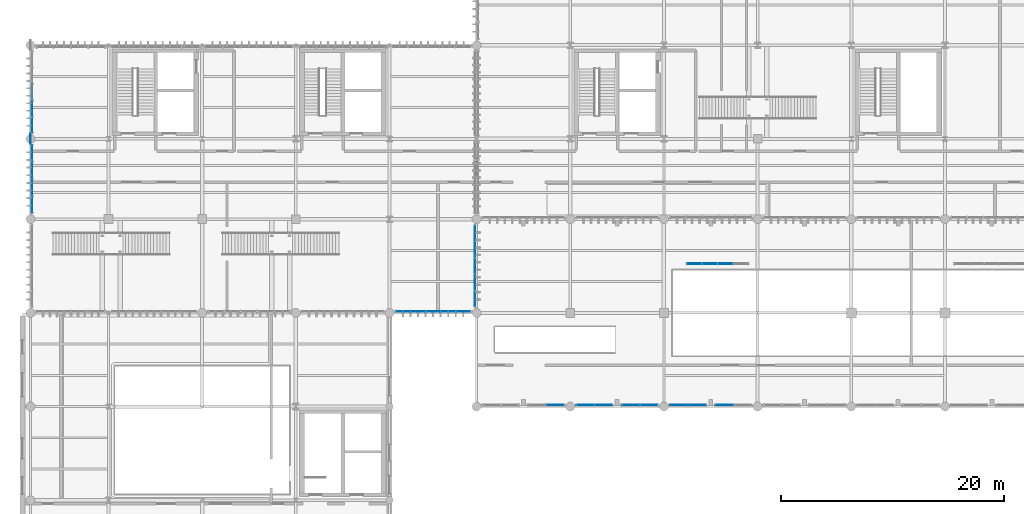
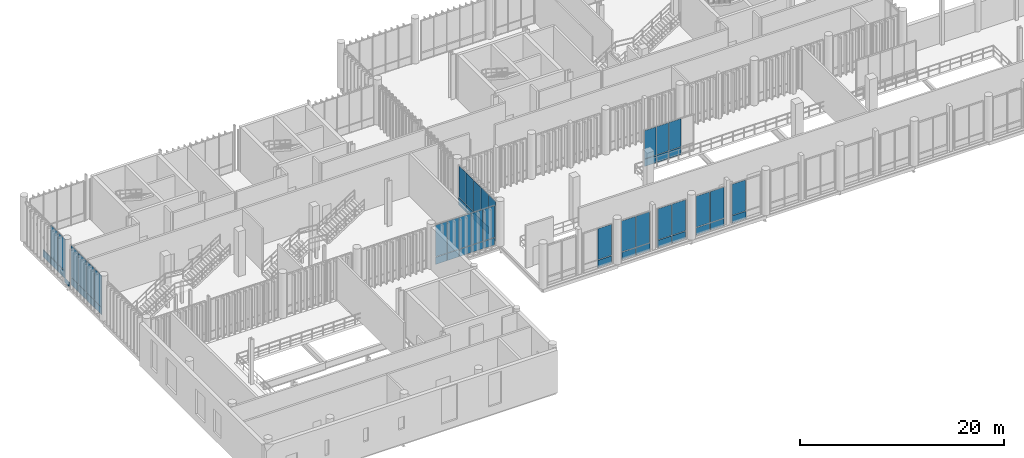
# One storey, part 94 of 128: 56 plates, 10 elements without a shape of their own.
"""IFC4 building model written with IfcOpenShell, lengths in metres."""

import ifcopenshell
import ifcopenshell.guid

model = None  # the IFC model being written
_history = None  # IfcOwnerHistory: only IFC2X3 demands one
_inside = {}  # id of a spatial element -> (the spatial element, [elements in it])
_under = {}  # id of a project, library or spatial element -> (it, [spatial elements below it])
_declared = {}  # id of a project -> (the project, [libraries it declares])
_typed = {}  # id of a type object -> (the type object, [elements of that type])
_made_of = {}  # id of a material, layer set ... -> (it, [elements and type objects made of it])


def new_model(schema):
    """Start an empty IFC model of exactly this schema.

    Asked for "IFC4X3", IfcOpenShell would pick the latest addendum, in which some entities
    have other attributes; the version numbers below select the first issue.
    IFC2X3 requires an IfcOwnerHistory on every rooted entity: one is made here for all.
    """
    global model, _history
    if schema == "IFC4X3":
        model = ifcopenshell.file(schema_version=(4, 3, 0, 0))
    else:
        model = ifcopenshell.file(schema=schema)
    _inside.clear()
    _under.clear()
    _declared.clear()
    _typed.clear()
    _made_of.clear()
    _history = None
    if model.schema == "IFC2X3":
        org = make("IfcOrganization", Name="unknown")
        user = make(
            "IfcPersonAndOrganization",
            ThePerson=make("IfcPerson", FamilyName="unknown"),
            TheOrganization=org,
        )
        app = make(
            "IfcApplication",
            ApplicationDeveloper=org,
            Version="unknown",
            ApplicationFullName="unknown",
            ApplicationIdentifier="unknown",
        )
        _history = make(
            "IfcOwnerHistory",
            OwningUser=user,
            OwningApplication=app,
            ChangeAction="ADDED",
            CreationDate=0,
        )
    return model


def make(cls, **values):
    """One entity of the class cls with the attributes given. An attribute that is None is left unset."""
    return model.create_entity(
        cls, **{name: value for name, value in values.items() if value is not None}
    )


def rooted(cls, **values):
    """An entity with a GlobalId (a new one), such as an element, a storey or a relation."""
    return make(cls, GlobalId=ifcopenshell.guid.new(), OwnerHistory=_history, **values)


def si_unit(unit_type, name, prefix=None):
    """IfcSIUnit, for example si_unit("LENGTHUNIT", "METRE", prefix="MILLI")."""
    return make("IfcSIUnit", UnitType=unit_type, Prefix=prefix, Name=name)


def assignment(units):
    """IfcUnitAssignment: the units of a project."""
    return None if units is None else make("IfcUnitAssignment", Units=units)


def point(xyz):
    """IfcCartesianPoint."""
    return None if xyz is None else make("IfcCartesianPoint", Coordinates=xyz)


def direction(xyz):
    """IfcDirection."""
    return None if xyz is None else make("IfcDirection", DirectionRatios=xyz)


def frame(location, z_axis=None, x_axis=None):
    """IfcAxis2Placement3D, a coordinate frame: its origin and axes. An axis left out is left unset."""
    return make(
        "IfcAxis2Placement3D",
        Location=point(location),
        Axis=direction(z_axis),
        RefDirection=direction(x_axis),
    )


def frame_2d(location, x_axis=None):
    """IfcAxis2Placement2D, a coordinate frame in the plane: its origin and x axis."""
    return make(
        "IfcAxis2Placement2D", Location=point(location), RefDirection=direction(x_axis)
    )


def origin_with_axes():
    """The frame at (0, 0, 0) with the z axis (0, 0, 1) and the x axis (1, 0, 0) written out."""
    return frame((0.0, 0.0, 0.0), z_axis=(0.0, 0.0, 1.0), x_axis=(1.0, 0.0, 0.0))


def origin_2d_with_axis():
    """The frame at (0, 0) in the plane with the x axis (1, 0) written out."""
    return frame_2d((0.0, 0.0), x_axis=(1.0, 0.0))


def place(relative_to, where):
    """IfcLocalPlacement: puts the frame where relative to a parent placement (None: the world)."""
    return make(
        "IfcLocalPlacement", PlacementRelTo=relative_to, RelativePlacement=where
    )


def context(
    kind, dimensions, precision=None, world=None, true_north=None, identifier=None
):
    """IfcGeometricRepresentationContext, for example the 3D "Model" context."""
    return make(
        "IfcGeometricRepresentationContext",
        ContextIdentifier=identifier,
        ContextType=kind,
        CoordinateSpaceDimension=dimensions,
        Precision=precision,
        WorldCoordinateSystem=world,
        TrueNorth=true_north,
    )


def subcontext(parent, identifier, kind, view, scale=None):
    """IfcGeometricRepresentationSubContext, for example "Body" below "Model"."""
    return make(
        "IfcGeometricRepresentationSubContext",
        ContextIdentifier=identifier,
        ContextType=kind,
        ParentContext=parent,
        TargetScale=scale,
        TargetView=view,
    )


def project(units=None, contexts=None):
    """IfcProject with its units and contexts."""
    return rooted(
        "IfcProject",
        Name="project",
        RepresentationContexts=contexts,
        UnitsInContext=assignment(units),
    )


def spatial(cls, under=None, at=None, **own):
    """A site, building, storey or space (cls), placed at a placement, below another one or the project."""
    s = rooted(cls, ObjectPlacement=at, **own)
    if under is not None:
        _under.setdefault(under.id(), (under, []))[1].append(s)
    return s


def profile(cls, at=None, kind="AREA", **sizes):
    """A parametric profile (cls). Its sizes go by their IFC names, for example OverallWidth=200.0."""
    return make(cls, ProfileType=kind, Position=at, **sizes)


def rectangle(**sizes):
    """IfcRectangleProfileDef."""
    return profile("IfcRectangleProfileDef", **sizes)


def extrude(swept, where, along, depth):
    """IfcExtrudedAreaSolid: the profile swept, set in the frame where, extruded along a direction by depth."""
    return make(
        "IfcExtrudedAreaSolid",
        SweptArea=swept,
        Position=where,
        ExtrudedDirection=direction(along),
        Depth=depth,
    )


def shape(context_of_items, identifier, shape_type, items):
    """IfcShapeRepresentation: the items that make up one representation, for example the "Body"."""
    return make(
        "IfcShapeRepresentation",
        ContextOfItems=context_of_items,
        RepresentationIdentifier=identifier,
        RepresentationType=shape_type,
        Items=items,
    )


def material(Name=None, Category=None):
    """IfcMaterial."""
    return make("IfcMaterial", Name=Name, Category=Category)


def layer(
    of_material, thickness, ventilated=None, Name=None, Category=None, Priority=None
):
    """IfcMaterialLayer: one layer of a wall or slab, of a material (None: an air gap)."""
    return make(
        "IfcMaterialLayer",
        Material=of_material,
        LayerThickness=thickness,
        IsVentilated=ventilated,
        Name=Name,
        Category=Category,
        Priority=Priority,
    )


def layer_set(layers, Name=None):
    """IfcMaterialLayerSet."""
    return make("IfcMaterialLayerSet", MaterialLayers=layers, LayerSetName=Name)


def made_of(thing, what):
    """Note that an element or type object is made of a material, layer set ...; save() writes the relation."""
    if what is not None:
        _made_of.setdefault(what.id(), (what, []))[1].append(thing)
    return thing


def type_object(cls, material=None, **own):
    """A type object (cls), such as IfcWallType, which elements share."""
    return made_of(rooted(cls, **own), material)


def element(
    cls,
    number,
    at=None,
    inside=None,
    cuts=None,
    type_object=None,
    material=None,
    context=None,
    identifier="Body",
    shape_type=None,
    held_by="IfcProductDefinitionShape",
    body=None,
    shapes=None,
    **own,
):
    """One element of the class cls, such as IfcWall. Its Tag is "e" and its number.

    at: its placement. inside: the storey or other place that contains it. cuts: it is an
    opening in that element (IfcRelVoidsElement). A single representation is given by context,
    identifier, shape_type and body (its items); several are given by shapes. held_by: the class
    of the entity that holds the representations. save() writes the other relations.
    """
    e = rooted(cls, Tag="e%d" % number, ObjectPlacement=at, **own)
    if body is not None:
        shapes = [shape(context, identifier, shape_type, body)]
    if shapes is not None:
        e.Representation = make(held_by, Representations=shapes)
    if inside is not None:
        _inside.setdefault(inside.id(), (inside, []))[1].append(e)
    if cuts is not None:
        rooted(
            "IfcRelVoidsElement", RelatingBuildingElement=cuts, RelatedOpeningElement=e
        )
    if type_object is not None:
        _typed.setdefault(type_object.id(), (type_object, []))[1].append(e)
    return made_of(e, material)


def aggregate(whole, parts):
    """IfcRelAggregates: a whole, such as a stair, and the parts it consists of."""
    return rooted("IfcRelAggregates", RelatingObject=whole, RelatedObjects=parts)


def save(model, path):
    """Write the relations noted so far, then the file.

    IfcRelAggregates (storeys below a building ...), IfcRelContainedInSpatialStructure (elements
    in a storey), IfcRelDefinesByType, IfcRelAssociatesMaterial and IfcRelDeclares: one each for
    every whole, place, type object, material and project.
    """
    for whole, parts in _under.values():
        aggregate(whole, parts)
    for where, things in _inside.values():
        rooted(
            "IfcRelContainedInSpatialStructure",
            RelatedElements=things,
            RelatingStructure=where,
        )
    for kind, things in _typed.values():
        rooted("IfcRelDefinesByType", RelatedObjects=things, RelatingType=kind)
    for what, things in _made_of.values():
        rooted("IfcRelAssociatesMaterial", RelatedObjects=things, RelatingMaterial=what)
    for by, libraries in _declared.values():
        rooted("IfcRelDeclares", RelatingContext=by, RelatedDefinitions=libraries)
    model.write(path)


model = new_model("IFC4")

# Units and contexts
model_context = context("Model", 3, precision=1e-05, world=origin_with_axes(), true_north=direction((0.0, 1.0)))
body_context = subcontext(model_context, "Body", "Model", "MODEL_VIEW")
ifc_project = project(units=[si_unit("LENGTHUNIT", "METRE"), si_unit("AREAUNIT", "SQUARE_METRE"), si_unit("VOLUMEUNIT", "CUBIC_METRE"), si_unit("PLANEANGLEUNIT", "RADIAN"), si_unit("MASSUNIT", "GRAM", prefix="KILO"), si_unit("THERMODYNAMICTEMPERATUREUNIT", "KELVIN")], contexts=[model_context])

# Site, building, storey
site_placement = place(None, origin_with_axes())
site = spatial("IfcSite", under=ifc_project, at=site_placement, CompositionType="ELEMENT")
building_placement = place(site_placement, origin_with_axes())
building = spatial("IfcBuilding", under=site, at=building_placement, Name="Montbau Bow Law Courts", CompositionType="ELEMENT")
storey_placement = place(building_placement, frame((0.0, 0.0, 5.4), z_axis=(0.0, 0.0, 1.0), x_axis=(1.0, 0.0, 0.0)))
storey = spatial("IfcBuildingStorey", under=building, at=storey_placement, Name="L01", CompositionType="ELEMENT", Elevation=5.4)

# Curtain wall, plates
ifc_material_1 = material(Name="Thermally Broken Extruded Aluminium AA 6063-T6", Category="aluminium")
curtain_wall_type_1 = type_object("IfcCurtainWallType", Name="CW-TRC-01", PredefinedType="NOTDEFINED", material=ifc_material_1)
curtain_wall_1_placement = place(None, frame((39.515, 30.74, 5.4), z_axis=(0.0, 0.0, 1.0), x_axis=(1.0, 0.0, 0.0)))
curtain_wall_1 = element("IfcCurtainWall", 1, at=curtain_wall_1_placement, inside=storey, type_object=curtain_wall_type_1, Name="CW-L01-020:cw_0020", PredefinedType="NOTDEFINED")
ifc_material_2 = material(Name="Triple-Glazed Low-E Argon Insulating Glass Unit", Category="glass")
ifc_layer_1 = layer(ifc_material_2, 0.044, Name="Curtain Panel", Category="glass")
ifc_layer_set_1 = layer_set([ifc_layer_1], Name="Triple-Glazed Low-E Argon Insulating Glass Unit")
plate_type_1 = type_object("IfcPlateType", Name="PL-CWP-01", PredefinedType="CURTAIN_PANEL", material=ifc_layer_set_1)
plate_1_placement = place(None, frame((39.577, 30.74, 6.382), z_axis=(0.0, -1.0, 0.0), x_axis=(1.0, 0.0, 0.0)))
plate_1 = element("IfcPlate", 2, at=plate_1_placement, type_object=plate_type_1, Name="CW-L01-020-P01-2:cw_0020_P01_2", PredefinedType="CURTAIN_PANEL", context=body_context, shape_type="SweptSolid", body=[
    extrude(rectangle(XDim=1.26, YDim=3.776, at=frame_2d((0.63, 1.888), x_axis=(1.0, 0.0))), frame((0.0, 0.0, -0.022), z_axis=(0.0, 0.0, 1.0), x_axis=(1.0, 0.0, 0.0)), (0.0, 0.0, 1.0), 0.044),
])
plate_2_placement = place(None, frame((40.901, 30.74, 6.382), z_axis=(0.0, -1.0, 0.0), x_axis=(1.0, 0.0, 0.0)))
plate_2 = element("IfcPlate", 3, at=plate_2_placement, type_object=plate_type_1, Name="CW-L01-020-P02-2:cw_0020_P02_2", PredefinedType="CURTAIN_PANEL", context=body_context, shape_type="SweptSolid", body=[
    extrude(rectangle(XDim=1.29, YDim=3.776, at=frame_2d((0.645, 1.888), x_axis=(1.0, 0.0))), frame((0.0, 0.0, -0.022), z_axis=(0.0, 0.0, 1.0), x_axis=(1.0, 0.0, 0.0)), (0.0, 0.0, 1.0), 0.044),
])
plate_3_placement = place(None, frame((42.255, 30.74, 6.382), z_axis=(0.0, -1.0, 0.0), x_axis=(1.0, 0.0, 0.0)))
plate_3 = element("IfcPlate", 4, at=plate_3_placement, type_object=plate_type_1, Name="CW-L01-020-P03-2:cw_0020_P03_2", PredefinedType="CURTAIN_PANEL", context=body_context, shape_type="SweptSolid", body=[
    extrude(rectangle(XDim=1.29, YDim=3.776, at=frame_2d((0.645, 1.888), x_axis=(1.0, 0.0))), frame((0.0, 0.0, -0.022), z_axis=(0.0, 0.0, 1.0), x_axis=(1.0, 0.0, 0.0)), (0.0, 0.0, 1.0), 0.044),
])
plate_4_placement = place(None, frame((43.609, 30.74, 6.382), z_axis=(0.0, -1.0, 0.0), x_axis=(1.0, 0.0, 0.0)))
plate_4 = element("IfcPlate", 5, at=plate_4_placement, type_object=plate_type_1, Name="CW-L01-020-P04-2:cw_0020_P04_2", PredefinedType="CURTAIN_PANEL", context=body_context, shape_type="SweptSolid", body=[
    extrude(rectangle(XDim=1.29, YDim=3.776, at=frame_2d((0.645, 1.888), x_axis=(1.0, 0.0))), frame((0.0, 0.0, -0.022), z_axis=(0.0, 0.0, 1.0), x_axis=(1.0, 0.0, 0.0)), (0.0, 0.0, 1.0), 0.044),
])
plate_5_placement = place(None, frame((44.963, 30.74, 6.382), z_axis=(0.0, -1.0, 0.0), x_axis=(1.0, 0.0, 0.0)))
plate_5 = element("IfcPlate", 6, at=plate_5_placement, type_object=plate_type_1, Name="CW-L01-020-P05-2:cw_0020_P05_2", PredefinedType="CURTAIN_PANEL", context=body_context, shape_type="SweptSolid", body=[
    extrude(rectangle(XDim=1.26, YDim=3.776, at=frame_2d((0.63, 1.888), x_axis=(1.0, 0.0))), frame((0.0, 0.0, -0.022), z_axis=(0.0, 0.0, 1.0), x_axis=(1.0, 0.0, 0.0)), (0.0, 0.0, 1.0), 0.044),
])

curtain_wall_2_placement = place(None, frame((6.94, 39.515, 5.4), z_axis=(0.0, 0.0, 1.0), x_axis=(1.0, 0.0, 0.0)))
curtain_wall_2 = element("IfcCurtainWall", 7, at=curtain_wall_2_placement, inside=storey, type_object=curtain_wall_type_1, Name="CW-L01-027:cw_0027", PredefinedType="NOTDEFINED")
plate_6_placement = place(None, frame((6.94, 39.591, 6.379), z_axis=(1.0, 0.0, 0.0), x_axis=(0.0, 1.0, 0.0)))
plate_6 = element("IfcPlate", 8, at=plate_6_placement, type_object=plate_type_1, Name="CW-L01-027-P01-2:cw_0027_P01_2", PredefinedType="CURTAIN_PANEL", context=body_context, shape_type="SweptSolid", body=[
    extrude(rectangle(XDim=1.427, YDim=3.784, at=frame_2d((0.7135, 1.892), x_axis=(1.0, 0.0))), frame((0.0, 0.0, -0.022), z_axis=(0.0, 0.0, 1.0), x_axis=(1.0, 0.0, 0.0)), (0.0, 0.0, 1.0), 0.044),
])
plate_7_placement = place(None, frame((6.94, 41.098, 6.379), z_axis=(1.0, 0.0, 0.0), x_axis=(0.0, 1.0, 0.0)))
plate_7 = element("IfcPlate", 9, at=plate_7_placement, type_object=plate_type_1, Name="CW-L01-027-P02-2:cw_0027_P02_2", PredefinedType="CURTAIN_PANEL", context=body_context, shape_type="SweptSolid", body=[
    extrude(rectangle(XDim=1.463, YDim=3.784, at=frame_2d((0.7315, 1.892), x_axis=(1.0, 0.0))), frame((0.0, 0.0, -0.022), z_axis=(0.0, 0.0, 1.0), x_axis=(1.0, 0.0, 0.0)), (0.0, 0.0, 1.0), 0.044),
])
plate_8_placement = place(None, frame((6.94, 42.639, 6.379), z_axis=(1.0, 0.0, 0.0), x_axis=(0.0, 1.0, 0.0)))
plate_8 = element("IfcPlate", 10, at=plate_8_placement, type_object=plate_type_1, Name="CW-L01-027-P03-2:cw_0027_P03_2", PredefinedType="CURTAIN_PANEL", context=body_context, shape_type="SweptSolid", body=[
    extrude(rectangle(XDim=1.465, YDim=3.784, at=frame_2d((0.7325, 1.892), x_axis=(1.0, 0.0))), frame((0.0, 0.0, -0.022), z_axis=(0.0, 0.0, 1.0), x_axis=(1.0, 0.0, 0.0)), (0.0, 0.0, 1.0), 0.044),
])
plate_9_placement = place(None, frame((6.94, 44.182, 6.379), z_axis=(1.0, 0.0, 0.0), x_axis=(0.0, 1.0, 0.0)))
plate_9 = element("IfcPlate", 11, at=plate_9_placement, type_object=plate_type_1, Name="CW-L01-027-P04-2:cw_0027_P04_2", PredefinedType="CURTAIN_PANEL", context=body_context, shape_type="SweptSolid", body=[
    extrude(rectangle(XDim=1.427, YDim=3.784, at=frame_2d((0.7135, 1.892), x_axis=(1.0, 0.0))), frame((0.0, 0.0, -0.022), z_axis=(0.0, 0.0, 1.0), x_axis=(1.0, 0.0, 0.0)), (0.0, 0.0, 1.0), 0.044),
])

curtain_wall_3_placement = place(None, frame((6.94, 46.715, 5.4), z_axis=(0.0, 0.0, 1.0), x_axis=(1.0, 0.0, 0.0)))
curtain_wall_3 = element("IfcCurtainWall", 12, at=curtain_wall_3_placement, inside=storey, type_object=curtain_wall_type_1, Name="CW-L01-028:cw_0028", PredefinedType="NOTDEFINED")
plate_10_placement = place(None, frame((6.94, 46.783, 6.382), z_axis=(1.0, 0.0, 0.0), x_axis=(0.0, 1.0, 0.0)))
plate_10 = element("IfcPlate", 13, at=plate_10_placement, type_object=plate_type_1, Name="CW-L01-028-P01-2:cw_0028_P01_2", PredefinedType="CURTAIN_PANEL", context=body_context, shape_type="SweptSolid", body=[
    extrude(rectangle(XDim=1.372, YDim=3.776, at=frame_2d((0.686, 1.888), x_axis=(1.0, 0.0))), frame((0.0, 0.0, -0.022), z_axis=(0.0, 0.0, 1.0), x_axis=(1.0, 0.0, 0.0)), (0.0, 0.0, 1.0), 0.044),
])
plate_11_placement = place(None, frame((6.94, 48.223, 6.382), z_axis=(1.0, 0.0, 0.0), x_axis=(0.0, 1.0, 0.0)))
plate_11 = element("IfcPlate", 14, at=plate_11_placement, type_object=plate_type_1, Name="CW-L01-028-P02-2:cw_0028_P02_2", PredefinedType="CURTAIN_PANEL", context=body_context, shape_type="SweptSolid", body=[
    extrude(rectangle(XDim=1.405, YDim=3.776, at=frame_2d((0.7025, 1.888), x_axis=(1.0, 0.0))), frame((0.0, 0.0, -0.022), z_axis=(0.0, 0.0, 1.0), x_axis=(1.0, 0.0, 0.0)), (0.0, 0.0, 1.0), 0.044),
])

curtain_wall_4_placement = place(None, frame((46.66, 31.115, 5.4), z_axis=(0.0, 0.0, 1.0), x_axis=(1.0, 0.0, 0.0)))
curtain_wall_4 = element("IfcCurtainWall", 15, at=curtain_wall_4_placement, inside=storey, type_object=curtain_wall_type_1, Name="CW-L01-029:cw_0029", PredefinedType="NOTDEFINED")
plate_12_placement = place(None, frame((46.66, 31.177, 6.379), z_axis=(1.0, 0.0, 0.0), x_axis=(0.0, 1.0, 0.0)))
plate_12 = element("IfcPlate", 16, at=plate_12_placement, type_object=plate_type_1, Name="CW-L01-029-P01-2:cw_0029_P01_2", PredefinedType="CURTAIN_PANEL", context=body_context, shape_type="SweptSolid", body=[
    extrude(rectangle(XDim=1.38, YDim=3.784, at=frame_2d((0.69, 1.892), x_axis=(1.0, 0.0))), frame((0.0, 0.0, -0.022), z_axis=(0.0, 0.0, 1.0), x_axis=(1.0, 0.0, 0.0)), (0.0, 0.0, 1.0), 0.044),
])
plate_13_placement = place(None, frame((46.66, 32.621, 6.379), z_axis=(1.0, 0.0, 0.0), x_axis=(0.0, 1.0, 0.0)))
plate_13 = element("IfcPlate", 17, at=plate_13_placement, type_object=plate_type_1, Name="CW-L01-029-P02-2:cw_0029_P02_2", PredefinedType="CURTAIN_PANEL", context=body_context, shape_type="SweptSolid", body=[
    extrude(rectangle(XDim=1.41, YDim=3.784, at=frame_2d((0.705, 1.892), x_axis=(1.0, 0.0))), frame((0.0, 0.0, -0.022), z_axis=(0.0, 0.0, 1.0), x_axis=(1.0, 0.0, 0.0)), (0.0, 0.0, 1.0), 0.044),
])
plate_14_placement = place(None, frame((46.66, 34.095, 6.379), z_axis=(1.0, 0.0, 0.0), x_axis=(0.0, 1.0, 0.0)))
plate_14 = element("IfcPlate", 18, at=plate_14_placement, type_object=plate_type_1, Name="CW-L01-029-P03-2:cw_0029_P03_2", PredefinedType="CURTAIN_PANEL", context=body_context, shape_type="SweptSolid", body=[
    extrude(rectangle(XDim=1.41, YDim=3.784, at=frame_2d((0.705, 1.892), x_axis=(1.0, 0.0))), frame((0.0, 0.0, -0.022), z_axis=(0.0, 0.0, 1.0), x_axis=(1.0, 0.0, 0.0)), (0.0, 0.0, 1.0), 0.044),
])
plate_15_placement = place(None, frame((46.66, 35.569, 6.379), z_axis=(1.0, 0.0, 0.0), x_axis=(0.0, 1.0, 0.0)))
plate_15 = element("IfcPlate", 19, at=plate_15_placement, type_object=plate_type_1, Name="CW-L01-029-P04-2:cw_0029_P04_2", PredefinedType="CURTAIN_PANEL", context=body_context, shape_type="SweptSolid", body=[
    extrude(rectangle(XDim=1.41, YDim=3.784, at=frame_2d((0.705, 1.892), x_axis=(1.0, 0.0))), frame((0.0, 0.0, -0.022), z_axis=(0.0, 0.0, 1.0), x_axis=(1.0, 0.0, 0.0)), (0.0, 0.0, 1.0), 0.044),
])
plate_16_placement = place(None, frame((46.66, 37.043, 6.379), z_axis=(1.0, 0.0, 0.0), x_axis=(0.0, 1.0, 0.0)))
plate_16 = element("IfcPlate", 20, at=plate_16_placement, type_object=plate_type_1, Name="CW-L01-029-P05-2:cw_0029_P05_2", PredefinedType="CURTAIN_PANEL", context=body_context, shape_type="SweptSolid", body=[
    extrude(rectangle(XDim=1.38, YDim=3.784, at=frame_2d((0.69, 1.892), x_axis=(1.0, 0.0))), frame((0.0, 0.0, -0.022), z_axis=(0.0, 0.0, 1.0), x_axis=(1.0, 0.0, 0.0)), (0.0, 0.0, 1.0), 0.044),
])

curtain_wall_type_2 = type_object("IfcCurtainWallType", Name="CW-INT-01", PredefinedType="NOTDEFINED", material=ifc_material_1)
curtain_wall_5_placement = place(None, frame((65.6, 35.0, 5.4), z_axis=(0.0, 0.0, 1.0), x_axis=(1.0, 0.0, 0.0)))
curtain_wall_5 = element("IfcCurtainWall", 21, at=curtain_wall_5_placement, inside=storey, type_object=curtain_wall_type_2, Name="CW-L01-415:cw_0415", PredefinedType="NOTDEFINED")
plate_17_placement = place(None, frame((65.668, 35.0, 6.379), z_axis=(0.0, -1.0, 0.0), x_axis=(1.0, 0.0, 0.0)))
plate_17 = element("IfcPlate", 22, at=plate_17_placement, type_object=plate_type_1, Name="CW-L01-415-P01-2:cw_0415_P01_2", PredefinedType="CURTAIN_PANEL", context=body_context, shape_type="SweptSolid", body=[
    extrude(rectangle(XDim=1.297, YDim=3.364, at=frame_2d((0.6485, 1.682), x_axis=(1.0, 0.0))), frame((0.0, 0.0, -0.022), z_axis=(0.0, 0.0, 1.0), x_axis=(1.0, 0.0, 0.0)), (0.0, 0.0, 1.0), 0.044),
])
plate_18_placement = place(None, frame((67.034, 35.0, 6.379), z_axis=(0.0, -1.0, 0.0), x_axis=(1.0, 0.0, 0.0)))
plate_18 = element("IfcPlate", 23, at=plate_18_placement, type_object=plate_type_1, Name="CW-L01-415-P02-2:cw_0415_P02_2", PredefinedType="CURTAIN_PANEL", context=body_context, shape_type="SweptSolid", body=[
    extrude(rectangle(XDim=1.331, YDim=3.364, at=frame_2d((0.6655, 1.682), x_axis=(1.0, 0.0))), frame((0.0, 0.0, -0.022), z_axis=(0.0, 0.0, 1.0), x_axis=(1.0, 0.0, 0.0)), (0.0, 0.0, 1.0), 0.044),
])
plate_19_placement = place(None, frame((68.434, 35.0, 6.379), z_axis=(0.0, -1.0, 0.0), x_axis=(1.0, 0.0, 0.0)))
plate_19 = element("IfcPlate", 24, at=plate_19_placement, type_object=plate_type_1, Name="CW-L01-415-P03-2:cw_0415_P03_2", PredefinedType="CURTAIN_PANEL", context=body_context, shape_type="SweptSolid", body=[
    extrude(rectangle(XDim=1.332, YDim=3.364, at=frame_2d((0.666, 1.682), x_axis=(1.0, 0.0))), frame((0.0, 0.0, -0.022), z_axis=(0.0, 0.0, 1.0), x_axis=(1.0, 0.0, 0.0)), (0.0, 0.0, 1.0), 0.044),
])

# Plate
ifc_material_3 = material(Name="Insulated Ceramic-Frit Spandrel Glazing Unit", Category="glass")
ifc_layer_2 = layer(ifc_material_3, 0.056, Name="Curtain Panel", Category="glass")
ifc_layer_set_2 = layer_set([ifc_layer_2], Name="Insulated Ceramic-Frit Spandrel Glazing Unit")
plate_type_2 = type_object("IfcPlateType", Name="PL-CWP-02", PredefinedType="CURTAIN_PANEL", material=ifc_layer_set_2)
plate_20_placement = place(None, frame((39.577, 30.74, 5.462), z_axis=(0.0, -1.0, 0.0), x_axis=(1.0, 0.0, 0.0)))
plate_20 = element("IfcPlate", 25, at=plate_20_placement, type_object=plate_type_2, Name="CW-L01-020-P01-1:cw_0020_P01_1", PredefinedType="CURTAIN_PANEL", context=body_context, shape_type="SweptSolid", body=[
    extrude(rectangle(XDim=1.26, YDim=0.856, at=frame_2d((0.63, 0.428), x_axis=(1.0, 0.0))), frame((0.0, 0.0, -0.028), z_axis=(0.0, 0.0, 1.0), x_axis=(1.0, 0.0, 0.0)), (0.0, 0.0, 1.0), 0.056),
])

plate_21_placement = place(None, frame((40.901, 30.74, 5.462), z_axis=(0.0, -1.0, 0.0), x_axis=(1.0, 0.0, 0.0)))
plate_21 = element("IfcPlate", 26, at=plate_21_placement, type_object=plate_type_2, Name="CW-L01-020-P02-1:cw_0020_P02_1", PredefinedType="CURTAIN_PANEL", context=body_context, shape_type="SweptSolid", body=[
    extrude(rectangle(XDim=1.29, YDim=0.856, at=frame_2d((0.645, 0.428), x_axis=(1.0, 0.0))), frame((0.0, 0.0, -0.028), z_axis=(0.0, 0.0, 1.0), x_axis=(1.0, 0.0, 0.0)), (0.0, 0.0, 1.0), 0.056),
])

plate_22_placement = place(None, frame((42.255, 30.74, 5.462), z_axis=(0.0, -1.0, 0.0), x_axis=(1.0, 0.0, 0.0)))
plate_22 = element("IfcPlate", 27, at=plate_22_placement, type_object=plate_type_2, Name="CW-L01-020-P03-1:cw_0020_P03_1", PredefinedType="CURTAIN_PANEL", context=body_context, shape_type="SweptSolid", body=[
    extrude(rectangle(XDim=1.29, YDim=0.856, at=frame_2d((0.645, 0.428), x_axis=(1.0, 0.0))), frame((0.0, 0.0, -0.028), z_axis=(0.0, 0.0, 1.0), x_axis=(1.0, 0.0, 0.0)), (0.0, 0.0, 1.0), 0.056),
])

plate_23_placement = place(None, frame((43.609, 30.74, 5.462), z_axis=(0.0, -1.0, 0.0), x_axis=(1.0, 0.0, 0.0)))
plate_23 = element("IfcPlate", 28, at=plate_23_placement, type_object=plate_type_2, Name="CW-L01-020-P04-1:cw_0020_P04_1", PredefinedType="CURTAIN_PANEL", context=body_context, shape_type="SweptSolid", body=[
    extrude(rectangle(XDim=1.29, YDim=0.856, at=frame_2d((0.645, 0.428), x_axis=(1.0, 0.0))), frame((0.0, 0.0, -0.028), z_axis=(0.0, 0.0, 1.0), x_axis=(1.0, 0.0, 0.0)), (0.0, 0.0, 1.0), 0.056),
])

plate_24_placement = place(None, frame((44.963, 30.74, 5.462), z_axis=(0.0, -1.0, 0.0), x_axis=(1.0, 0.0, 0.0)))
plate_24 = element("IfcPlate", 29, at=plate_24_placement, type_object=plate_type_2, Name="CW-L01-020-P05-1:cw_0020_P05_1", PredefinedType="CURTAIN_PANEL", context=body_context, shape_type="SweptSolid", body=[
    extrude(rectangle(XDim=1.26, YDim=0.856, at=frame_2d((0.63, 0.428), x_axis=(1.0, 0.0))), frame((0.0, 0.0, -0.028), z_axis=(0.0, 0.0, 1.0), x_axis=(1.0, 0.0, 0.0)), (0.0, 0.0, 1.0), 0.056),
])

aggregate(curtain_wall_1, [plate_20, plate_1, plate_21, plate_2, plate_22, plate_3, plate_23, plate_4, plate_24, plate_5])

plate_25_placement = place(None, frame((6.94, 39.591, 5.457), z_axis=(1.0, 0.0, 0.0), x_axis=(0.0, 1.0, 0.0)))
plate_25 = element("IfcPlate", 30, at=plate_25_placement, type_object=plate_type_2, Name="CW-L01-027-P01-1:cw_0027_P01_1", PredefinedType="CURTAIN_PANEL", context=body_context, shape_type="SweptSolid", body=[
    extrude(rectangle(XDim=1.427, YDim=0.864, at=frame_2d((0.7135, 0.432), x_axis=(1.0, 0.0))), frame((0.0, 0.0, -0.028), z_axis=(0.0, 0.0, 1.0), x_axis=(1.0, 0.0, 0.0)), (0.0, 0.0, 1.0), 0.056),
])

plate_26_placement = place(None, frame((6.94, 41.098, 5.457), z_axis=(1.0, 0.0, 0.0), x_axis=(0.0, 1.0, 0.0)))
plate_26 = element("IfcPlate", 31, at=plate_26_placement, type_object=plate_type_2, Name="CW-L01-027-P02-1:cw_0027_P02_1", PredefinedType="CURTAIN_PANEL", context=body_context, shape_type="SweptSolid", body=[
    extrude(rectangle(XDim=1.463, YDim=0.864, at=frame_2d((0.7315, 0.432), x_axis=(1.0, 0.0))), frame((0.0, 0.0, -0.028), z_axis=(0.0, 0.0, 1.0), x_axis=(1.0, 0.0, 0.0)), (0.0, 0.0, 1.0), 0.056),
])

plate_27_placement = place(None, frame((6.94, 42.639, 5.457), z_axis=(1.0, 0.0, 0.0), x_axis=(0.0, 1.0, 0.0)))
plate_27 = element("IfcPlate", 32, at=plate_27_placement, type_object=plate_type_2, Name="CW-L01-027-P03-1:cw_0027_P03_1", PredefinedType="CURTAIN_PANEL", context=body_context, shape_type="SweptSolid", body=[
    extrude(rectangle(XDim=1.465, YDim=0.864, at=frame_2d((0.7325, 0.432), x_axis=(1.0, 0.0))), frame((0.0, 0.0, -0.028), z_axis=(0.0, 0.0, 1.0), x_axis=(1.0, 0.0, 0.0)), (0.0, 0.0, 1.0), 0.056),
])

plate_28_placement = place(None, frame((6.94, 44.182, 5.457), z_axis=(1.0, 0.0, 0.0), x_axis=(0.0, 1.0, 0.0)))
plate_28 = element("IfcPlate", 33, at=plate_28_placement, type_object=plate_type_2, Name="CW-L01-027-P04-1:cw_0027_P04_1", PredefinedType="CURTAIN_PANEL", context=body_context, shape_type="SweptSolid", body=[
    extrude(rectangle(XDim=1.427, YDim=0.864, at=frame_2d((0.7135, 0.432), x_axis=(1.0, 0.0))), frame((0.0, 0.0, -0.028), z_axis=(0.0, 0.0, 1.0), x_axis=(1.0, 0.0, 0.0)), (0.0, 0.0, 1.0), 0.056),
])

aggregate(curtain_wall_2, [plate_25, plate_6, plate_26, plate_7, plate_27, plate_8, plate_28, plate_9])

plate_29_placement = place(None, frame((6.94, 46.783, 5.462), z_axis=(1.0, 0.0, 0.0), x_axis=(0.0, 1.0, 0.0)))
plate_29 = element("IfcPlate", 34, at=plate_29_placement, type_object=plate_type_2, Name="CW-L01-028-P01-1:cw_0028_P01_1", PredefinedType="CURTAIN_PANEL", context=body_context, shape_type="SweptSolid", body=[
    extrude(rectangle(XDim=1.372, YDim=0.856, at=frame_2d((0.686, 0.428), x_axis=(1.0, 0.0))), frame((0.0, 0.0, -0.028), z_axis=(0.0, 0.0, 1.0), x_axis=(1.0, 0.0, 0.0)), (0.0, 0.0, 1.0), 0.056),
])

plate_30_placement = place(None, frame((6.94, 48.223, 5.462), z_axis=(1.0, 0.0, 0.0), x_axis=(0.0, 1.0, 0.0)))
plate_30 = element("IfcPlate", 35, at=plate_30_placement, type_object=plate_type_2, Name="CW-L01-028-P02-1:cw_0028_P02_1", PredefinedType="CURTAIN_PANEL", context=body_context, shape_type="SweptSolid", body=[
    extrude(rectangle(XDim=1.405, YDim=0.856, at=frame_2d((0.7025, 0.428), x_axis=(1.0, 0.0))), frame((0.0, 0.0, -0.028), z_axis=(0.0, 0.0, 1.0), x_axis=(1.0, 0.0, 0.0)), (0.0, 0.0, 1.0), 0.056),
])

plate_31_placement = place(None, frame((6.94, 49.697, 5.462), z_axis=(1.0, 0.0, 0.0), x_axis=(0.0, 1.0, 0.0)))
plate_31 = element("IfcPlate", 36, at=plate_31_placement, type_object=plate_type_2, Name="CW-L01-028-P03-1:cw_0028_P03_1", PredefinedType="CURTAIN_PANEL", context=body_context, shape_type="SweptSolid", body=[
    extrude(rectangle(XDim=1.406, YDim=0.856, at=frame_2d((0.703, 0.428), x_axis=(1.0, 0.0))), frame((0.0, 0.0, -0.028), z_axis=(0.0, 0.0, 1.0), x_axis=(1.0, 0.0, 0.0)), (0.0, 0.0, 1.0), 0.056),
])

aggregate(curtain_wall_3, [plate_29, plate_10, plate_30, plate_11, plate_31])

plate_32_placement = place(None, frame((46.66, 31.177, 5.457), z_axis=(1.0, 0.0, 0.0), x_axis=(0.0, 1.0, 0.0)))
plate_32 = element("IfcPlate", 37, at=plate_32_placement, type_object=plate_type_2, Name="CW-L01-029-P01-1:cw_0029_P01_1", PredefinedType="CURTAIN_PANEL", context=body_context, shape_type="SweptSolid", body=[
    extrude(rectangle(XDim=1.38, YDim=0.864, at=frame_2d((0.69, 0.432), x_axis=(1.0, 0.0))), frame((0.0, 0.0, -0.028), z_axis=(0.0, 0.0, 1.0), x_axis=(1.0, 0.0, 0.0)), (0.0, 0.0, 1.0), 0.056),
])

plate_33_placement = place(None, frame((46.66, 32.621, 5.457), z_axis=(1.0, 0.0, 0.0), x_axis=(0.0, 1.0, 0.0)))
plate_33 = element("IfcPlate", 38, at=plate_33_placement, type_object=plate_type_2, Name="CW-L01-029-P02-1:cw_0029_P02_1", PredefinedType="CURTAIN_PANEL", context=body_context, shape_type="SweptSolid", body=[
    extrude(rectangle(XDim=1.41, YDim=0.864, at=frame_2d((0.705, 0.432), x_axis=(1.0, 0.0))), frame((0.0, 0.0, -0.028), z_axis=(0.0, 0.0, 1.0), x_axis=(1.0, 0.0, 0.0)), (0.0, 0.0, 1.0), 0.056),
])

plate_34_placement = place(None, frame((46.66, 34.095, 5.457), z_axis=(1.0, 0.0, 0.0), x_axis=(0.0, 1.0, 0.0)))
plate_34 = element("IfcPlate", 39, at=plate_34_placement, type_object=plate_type_2, Name="CW-L01-029-P03-1:cw_0029_P03_1", PredefinedType="CURTAIN_PANEL", context=body_context, shape_type="SweptSolid", body=[
    extrude(rectangle(XDim=1.41, YDim=0.864, at=frame_2d((0.705, 0.432), x_axis=(1.0, 0.0))), frame((0.0, 0.0, -0.028), z_axis=(0.0, 0.0, 1.0), x_axis=(1.0, 0.0, 0.0)), (0.0, 0.0, 1.0), 0.056),
])

plate_35_placement = place(None, frame((46.66, 35.569, 5.457), z_axis=(1.0, 0.0, 0.0), x_axis=(0.0, 1.0, 0.0)))
plate_35 = element("IfcPlate", 40, at=plate_35_placement, type_object=plate_type_2, Name="CW-L01-029-P04-1:cw_0029_P04_1", PredefinedType="CURTAIN_PANEL", context=body_context, shape_type="SweptSolid", body=[
    extrude(rectangle(XDim=1.41, YDim=0.864, at=frame_2d((0.705, 0.432), x_axis=(1.0, 0.0))), frame((0.0, 0.0, -0.028), z_axis=(0.0, 0.0, 1.0), x_axis=(1.0, 0.0, 0.0)), (0.0, 0.0, 1.0), 0.056),
])

plate_36_placement = place(None, frame((46.66, 37.043, 5.457), z_axis=(1.0, 0.0, 0.0), x_axis=(0.0, 1.0, 0.0)))
plate_36 = element("IfcPlate", 41, at=plate_36_placement, type_object=plate_type_2, Name="CW-L01-029-P05-1:cw_0029_P05_1", PredefinedType="CURTAIN_PANEL", context=body_context, shape_type="SweptSolid", body=[
    extrude(rectangle(XDim=1.38, YDim=0.864, at=frame_2d((0.69, 0.432), x_axis=(1.0, 0.0))), frame((0.0, 0.0, -0.028), z_axis=(0.0, 0.0, 1.0), x_axis=(1.0, 0.0, 0.0)), (0.0, 0.0, 1.0), 0.056),
])

aggregate(curtain_wall_4, [plate_32, plate_12, plate_33, plate_13, plate_34, plate_14, plate_35, plate_15, plate_36, plate_16])

# Curtain wall, plate
curtain_wall_type_3 = type_object("IfcCurtainWallType", Name="CW-WGC-02", PredefinedType="NOTDEFINED", material=ifc_material_1)
curtain_wall_6_placement = place(None, frame((51.39, 22.34, 5.4), z_axis=(0.0, 0.0, 1.0), x_axis=(1.0, 0.0, 0.0)))
curtain_wall_6 = element("IfcCurtainWall", 42, at=curtain_wall_6_placement, inside=storey, type_object=curtain_wall_type_3, Name="CW-L01-397:cw_0397", PredefinedType="NOTDEFINED")
plate_37_placement = place(None, frame((53.072, 22.34, 5.457), z_axis=(0.0, -1.0, 0.0), x_axis=(1.0, 0.0, 0.0)))
plate_37 = element("IfcPlate", 43, at=plate_37_placement, type_object=plate_type_2, Name="CW-L01-397-P02-1:cw_0397_P02_1", PredefinedType="CURTAIN_PANEL", context=body_context, shape_type="SweptSolid", body=[
    extrude(rectangle(XDim=1.546, YDim=0.864, at=frame_2d((0.773, 0.432), x_axis=(1.0, 0.0))), frame((0.0, 0.0, -0.028), z_axis=(0.0, 0.0, 1.0), x_axis=(1.0, 0.0, 0.0)), (0.0, 0.0, 1.0), 0.056),
])

# Curtain wall, plates
curtain_wall_7_placement = place(None, frame((55.715, 22.34, 5.4), z_axis=(0.0, 0.0, 1.0), x_axis=(1.0, 0.0, 0.0)))
curtain_wall_7 = element("IfcCurtainWall", 44, at=curtain_wall_7_placement, inside=storey, type_object=curtain_wall_type_3, Name="CW-L01-398:cw_0398", PredefinedType="NOTDEFINED")
plate_38_placement = place(None, frame((55.777, 22.34, 5.462), z_axis=(0.0, -1.0, 0.0), x_axis=(1.0, 0.0, 0.0)))
plate_38 = element("IfcPlate", 45, at=plate_38_placement, type_object=plate_type_2, Name="CW-L01-398-P01-1:cw_0398_P01_1", PredefinedType="CURTAIN_PANEL", context=body_context, shape_type="SweptSolid", body=[
    extrude(rectangle(XDim=1.553, YDim=0.856, at=frame_2d((0.7765, 0.428), x_axis=(1.0, 0.0))), frame((0.0, 0.0, -0.028), z_axis=(0.0, 0.0, 1.0), x_axis=(1.0, 0.0, 0.0)), (0.0, 0.0, 1.0), 0.056),
])
plate_39_placement = place(None, frame((57.394, 22.34, 5.462), z_axis=(0.0, -1.0, 0.0), x_axis=(1.0, 0.0, 0.0)))
plate_39 = element("IfcPlate", 46, at=plate_39_placement, type_object=plate_type_2, Name="CW-L01-398-P02-1:cw_0398_P02_1", PredefinedType="CURTAIN_PANEL", context=body_context, shape_type="SweptSolid", body=[
    extrude(rectangle(XDim=1.554, YDim=0.856, at=frame_2d((0.777, 0.428), x_axis=(1.0, 0.0))), frame((0.0, 0.0, -0.028), z_axis=(0.0, 0.0, 1.0), x_axis=(1.0, 0.0, 0.0)), (0.0, 0.0, 1.0), 0.056),
])

curtain_wall_8_placement = place(None, frame((59.79, 22.34, 5.4), z_axis=(0.0, 0.0, 1.0), x_axis=(1.0, 0.0, 0.0)))
curtain_wall_8 = element("IfcCurtainWall", 47, at=curtain_wall_8_placement, inside=storey, type_object=curtain_wall_type_3, Name="CW-L01-399:cw_0399", PredefinedType="NOTDEFINED")
plate_40_placement = place(None, frame((59.866, 22.34, 5.457), z_axis=(0.0, -1.0, 0.0), x_axis=(1.0, 0.0, 0.0)))
plate_40 = element("IfcPlate", 48, at=plate_40_placement, type_object=plate_type_2, Name="CW-L01-399-P01-1:cw_0399_P01_1", PredefinedType="CURTAIN_PANEL", context=body_context, shape_type="SweptSolid", body=[
    extrude(rectangle(XDim=1.532, YDim=0.864, at=frame_2d((0.766, 0.432), x_axis=(1.0, 0.0))), frame((0.0, 0.0, -0.028), z_axis=(0.0, 0.0, 1.0), x_axis=(1.0, 0.0, 0.0)), (0.0, 0.0, 1.0), 0.056),
])
plate_41_placement = place(None, frame((61.478, 22.34, 5.457), z_axis=(0.0, -1.0, 0.0), x_axis=(1.0, 0.0, 0.0)))
plate_41 = element("IfcPlate", 49, at=plate_41_placement, type_object=plate_type_2, Name="CW-L01-399-P02-1:cw_0399_P02_1", PredefinedType="CURTAIN_PANEL", context=body_context, shape_type="SweptSolid", body=[
    extrude(rectangle(XDim=1.531, YDim=0.864, at=frame_2d((0.7655, 0.432), x_axis=(1.0, 0.0))), frame((0.0, 0.0, -0.028), z_axis=(0.0, 0.0, 1.0), x_axis=(1.0, 0.0, 0.0)), (0.0, 0.0, 1.0), 0.056),
])

curtain_wall_type_4 = type_object("IfcCurtainWallType", Name="CW-WGC-01", PredefinedType="NOTDEFINED", material=ifc_material_1)
curtain_wall_9_placement = place(None, frame((64.115, 22.34, 5.4), z_axis=(0.0, 0.0, 1.0), x_axis=(1.0, 0.0, 0.0)))
curtain_wall_9 = element("IfcCurtainWall", 50, at=curtain_wall_9_placement, inside=storey, type_object=curtain_wall_type_4, Name="CW-L01-400:cw_0400", PredefinedType="NOTDEFINED")
plate_42_placement = place(None, frame((64.183, 22.34, 5.462), z_axis=(0.0, -1.0, 0.0), x_axis=(1.0, 0.0, 0.0)))
plate_42 = element("IfcPlate", 51, at=plate_42_placement, type_object=plate_type_2, Name="CW-L01-400-P01-1:cw_0400_P01_1", PredefinedType="CURTAIN_PANEL", context=body_context, shape_type="SweptSolid", body=[
    extrude(rectangle(XDim=1.545, YDim=0.856, at=frame_2d((0.7725, 0.428), x_axis=(1.0, 0.0))), frame((0.0, 0.0, -0.028), z_axis=(0.0, 0.0, 1.0), x_axis=(1.0, 0.0, 0.0)), (0.0, 0.0, 1.0), 0.056),
])
plate_43_placement = place(None, frame((65.797, 22.34, 5.462), z_axis=(0.0, -1.0, 0.0), x_axis=(1.0, 0.0, 0.0)))
plate_43 = element("IfcPlate", 52, at=plate_43_placement, type_object=plate_type_2, Name="CW-L01-400-P02-1:cw_0400_P02_1", PredefinedType="CURTAIN_PANEL", context=body_context, shape_type="SweptSolid", body=[
    extrude(rectangle(XDim=1.546, YDim=0.856, at=frame_2d((0.773, 0.428), x_axis=(1.0, 0.0))), frame((0.0, 0.0, -0.028), z_axis=(0.0, 0.0, 1.0), x_axis=(1.0, 0.0, 0.0)), (0.0, 0.0, 1.0), 0.056),
])

# Curtain wall, plate
curtain_wall_10_placement = place(None, frame((68.19, 22.34, 5.4), z_axis=(0.0, 0.0, 1.0), x_axis=(1.0, 0.0, 0.0)))
curtain_wall_10 = element("IfcCurtainWall", 53, at=curtain_wall_10_placement, inside=storey, type_object=curtain_wall_type_4, Name="CW-L01-401:cw_0401", PredefinedType="NOTDEFINED")
plate_44_placement = place(None, frame((68.252, 22.34, 5.457), z_axis=(0.0, -1.0, 0.0), x_axis=(1.0, 0.0, 0.0)))
plate_44 = element("IfcPlate", 54, at=plate_44_placement, type_object=plate_type_2, Name="CW-L01-401-P01-1:cw_0401_P01_1", PredefinedType="CURTAIN_PANEL", context=body_context, shape_type="SweptSolid", body=[
    extrude(rectangle(XDim=1.554, YDim=0.864, at=frame_2d((0.777, 0.432), x_axis=(1.0, 0.0))), frame((0.0, 0.0, -0.028), z_axis=(0.0, 0.0, 1.0), x_axis=(1.0, 0.0, 0.0)), (0.0, 0.0, 1.0), 0.056),
])

# Plate
plate_45_placement = place(None, frame((65.668, 35.0, 5.457), z_axis=(0.0, -1.0, 0.0), x_axis=(1.0, 0.0, 0.0)))
plate_45 = element("IfcPlate", 55, at=plate_45_placement, type_object=plate_type_2, Name="CW-L01-415-P01-1:cw_0415_P01_1", PredefinedType="CURTAIN_PANEL", context=body_context, shape_type="SweptSolid", body=[
    extrude(rectangle(XDim=1.297, YDim=0.864, at=frame_2d((0.6485, 0.432), x_axis=(1.0, 0.0))), frame((0.0, 0.0, -0.028), z_axis=(0.0, 0.0, 1.0), x_axis=(1.0, 0.0, 0.0)), (0.0, 0.0, 1.0), 0.056),
])

plate_46_placement = place(None, frame((67.034, 35.0, 5.457), z_axis=(0.0, -1.0, 0.0), x_axis=(1.0, 0.0, 0.0)))
plate_46 = element("IfcPlate", 56, at=plate_46_placement, type_object=plate_type_2, Name="CW-L01-415-P02-1:cw_0415_P02_1", PredefinedType="CURTAIN_PANEL", context=body_context, shape_type="SweptSolid", body=[
    extrude(rectangle(XDim=1.331, YDim=0.864, at=frame_2d((0.6655, 0.432), x_axis=(1.0, 0.0))), frame((0.0, 0.0, -0.028), z_axis=(0.0, 0.0, 1.0), x_axis=(1.0, 0.0, 0.0)), (0.0, 0.0, 1.0), 0.056),
])

plate_47_placement = place(None, frame((68.434, 35.0, 5.457), z_axis=(0.0, -1.0, 0.0), x_axis=(1.0, 0.0, 0.0)))
plate_47 = element("IfcPlate", 57, at=plate_47_placement, type_object=plate_type_2, Name="CW-L01-415-P03-1:cw_0415_P03_1", PredefinedType="CURTAIN_PANEL", context=body_context, shape_type="SweptSolid", body=[
    extrude(rectangle(XDim=1.332, YDim=0.864, at=frame_2d((0.666, 0.432), x_axis=(1.0, 0.0))), frame((0.0, 0.0, -0.028), z_axis=(0.0, 0.0, 1.0), x_axis=(1.0, 0.0, 0.0)), (0.0, 0.0, 1.0), 0.056),
])

aggregate(curtain_wall_5, [plate_45, plate_17, plate_46, plate_18, plate_47, plate_19])

ifc_material_4 = material(Name="Triple-Glazed Winter-Garden Vision Unit", Category="glass")
ifc_layer_3 = layer(ifc_material_4, 0.036, Name="Curtain Panel", Category="glass")
ifc_layer_set_3 = layer_set([ifc_layer_3], Name="Triple-Glazed Winter-Garden Vision Unit")
plate_type_3 = type_object("IfcPlateType", Name="PL-CWP-03", PredefinedType="CURTAIN_PANEL", material=ifc_layer_set_3)
plate_48_placement = place(None, frame((53.072, 22.34, 6.379), z_axis=(0.0, -1.0, 0.0), x_axis=(1.0, 0.0, 0.0)))
plate_48 = element("IfcPlate", 58, at=plate_48_placement, type_object=plate_type_3, Name="CW-L01-397-P02-2:cw_0397_P02_2", PredefinedType="CURTAIN_PANEL", context=body_context, shape_type="SweptSolid", body=[
    extrude(rectangle(XDim=1.546, YDim=3.714, at=frame_2d((0.773, 1.857), x_axis=(1.0, 0.0))), frame((0.0, 0.0, -0.018), z_axis=(0.0, 0.0, 1.0), x_axis=(1.0, 0.0, 0.0)), (0.0, 0.0, 1.0), 0.036),
])

aggregate(curtain_wall_6, [plate_37, plate_48])

plate_49_placement = place(None, frame((55.777, 22.34, 6.382), z_axis=(0.0, -1.0, 0.0), x_axis=(1.0, 0.0, 0.0)))
plate_49 = element("IfcPlate", 59, at=plate_49_placement, type_object=plate_type_3, Name="CW-L01-398-P01-2:cw_0398_P01_2", PredefinedType="CURTAIN_PANEL", context=body_context, shape_type="SweptSolid", body=[
    extrude(rectangle(XDim=1.553, YDim=3.706, at=frame_2d((0.7765, 1.853), x_axis=(1.0, 0.0))), frame((0.0, 0.0, -0.018), z_axis=(0.0, 0.0, 1.0), x_axis=(1.0, 0.0, 0.0)), (0.0, 0.0, 1.0), 0.036),
])

plate_50_placement = place(None, frame((57.394, 22.34, 6.382), z_axis=(0.0, -1.0, 0.0), x_axis=(1.0, 0.0, 0.0)))
plate_50 = element("IfcPlate", 60, at=plate_50_placement, type_object=plate_type_3, Name="CW-L01-398-P02-2:cw_0398_P02_2", PredefinedType="CURTAIN_PANEL", context=body_context, shape_type="SweptSolid", body=[
    extrude(rectangle(XDim=1.554, YDim=3.706, at=frame_2d((0.777, 1.853), x_axis=(1.0, 0.0))), frame((0.0, 0.0, -0.018), z_axis=(0.0, 0.0, 1.0), x_axis=(1.0, 0.0, 0.0)), (0.0, 0.0, 1.0), 0.036),
])

aggregate(curtain_wall_7, [plate_38, plate_49, plate_39, plate_50])

plate_51_placement = place(None, frame((59.866, 22.34, 6.379), z_axis=(0.0, -1.0, 0.0), x_axis=(1.0, 0.0, 0.0)))
plate_51 = element("IfcPlate", 61, at=plate_51_placement, type_object=plate_type_3, Name="CW-L01-399-P01-2:cw_0399_P01_2", PredefinedType="CURTAIN_PANEL", context=body_context, shape_type="SweptSolid", body=[
    extrude(rectangle(XDim=1.532, YDim=3.714, at=frame_2d((0.766, 1.857), x_axis=(1.0, 0.0))), frame((0.0, 0.0, -0.018), z_axis=(0.0, 0.0, 1.0), x_axis=(1.0, 0.0, 0.0)), (0.0, 0.0, 1.0), 0.036),
])

plate_52_placement = place(None, frame((61.478, 22.34, 6.379), z_axis=(0.0, -1.0, 0.0), x_axis=(1.0, 0.0, 0.0)))
plate_52 = element("IfcPlate", 62, at=plate_52_placement, type_object=plate_type_3, Name="CW-L01-399-P02-2:cw_0399_P02_2", PredefinedType="CURTAIN_PANEL", context=body_context, shape_type="SweptSolid", body=[
    extrude(rectangle(XDim=1.531, YDim=3.714, at=frame_2d((0.7655, 1.857), x_axis=(1.0, 0.0))), frame((0.0, 0.0, -0.018), z_axis=(0.0, 0.0, 1.0), x_axis=(1.0, 0.0, 0.0)), (0.0, 0.0, 1.0), 0.036),
])

aggregate(curtain_wall_8, [plate_40, plate_51, plate_41, plate_52])

plate_53_placement = place(None, frame((64.183, 22.34, 6.382), z_axis=(0.0, -1.0, 0.0), x_axis=(1.0, 0.0, 0.0)))
plate_53 = element("IfcPlate", 63, at=plate_53_placement, type_object=plate_type_3, Name="CW-L01-400-P01-2:cw_0400_P01_2", PredefinedType="CURTAIN_PANEL", context=body_context, shape_type="SweptSolid", body=[
    extrude(rectangle(XDim=1.545, YDim=3.706, at=frame_2d((0.7725, 1.853), x_axis=(1.0, 0.0))), frame((0.0, 0.0, -0.018), z_axis=(0.0, 0.0, 1.0), x_axis=(1.0, 0.0, 0.0)), (0.0, 0.0, 1.0), 0.036),
])

plate_54_placement = place(None, frame((65.797, 22.34, 6.382), z_axis=(0.0, -1.0, 0.0), x_axis=(1.0, 0.0, 0.0)))
plate_54 = element("IfcPlate", 64, at=plate_54_placement, type_object=plate_type_3, Name="CW-L01-400-P02-2:cw_0400_P02_2", PredefinedType="CURTAIN_PANEL", context=body_context, shape_type="SweptSolid", body=[
    extrude(rectangle(XDim=1.546, YDim=3.706, at=frame_2d((0.773, 1.853), x_axis=(1.0, 0.0))), frame((0.0, 0.0, -0.018), z_axis=(0.0, 0.0, 1.0), x_axis=(1.0, 0.0, 0.0)), (0.0, 0.0, 1.0), 0.036),
])

aggregate(curtain_wall_9, [plate_42, plate_53, plate_43, plate_54])

plate_55_placement = place(None, frame((68.252, 22.34, 6.379), z_axis=(0.0, -1.0, 0.0), x_axis=(1.0, 0.0, 0.0)))
plate_55 = element("IfcPlate", 65, at=plate_55_placement, type_object=plate_type_3, Name="CW-L01-401-P01-2:cw_0401_P01_2", PredefinedType="CURTAIN_PANEL", context=body_context, shape_type="SweptSolid", body=[
    extrude(rectangle(XDim=1.554, YDim=3.714, at=frame_2d((0.777, 1.857), x_axis=(1.0, 0.0))), frame((0.0, 0.0, -0.018), z_axis=(0.0, 0.0, 1.0), x_axis=(1.0, 0.0, 0.0)), (0.0, 0.0, 1.0), 0.036),
])

aggregate(curtain_wall_10, [plate_44, plate_55])

ifc_material_5 = material(Name="Steel CSA G40.21 Grade 350WT (350 MPa)", Category="steel")
ifc_layer_4 = layer(ifc_material_5, 0.032, Name="Gusset Plate", Category="steel")
ifc_layer_set_4 = layer_set([ifc_layer_4], Name="Steel CSA G40.21 Grade 350WT (350 MPa)")
plate_type_4 = type_object("IfcPlateType", Name="PL-GUS-01", PredefinedType="USERDEFINED", material=ifc_layer_set_4)
plate_56_placement = place(None, frame((6.8, 46.2, 5.17), z_axis=(0.0, 0.0, 1.0), x_axis=(0.0, 1.0, 0.0)))
element("IfcPlate", 66, at=plate_56_placement, inside=storey, type_object=plate_type_4, Name="BGP-L01-096:plt_0127", ObjectType="GUSSET_PLATE", PredefinedType="USERDEFINED", context=body_context, shape_type="SweptSolid", body=[
    extrude(rectangle(XDim=0.9, YDim=0.032, at=origin_2d_with_axis()), origin_with_axes(), (0.0, 0.0, 1.0), 0.56),
])

save(model, "model.ifc")
